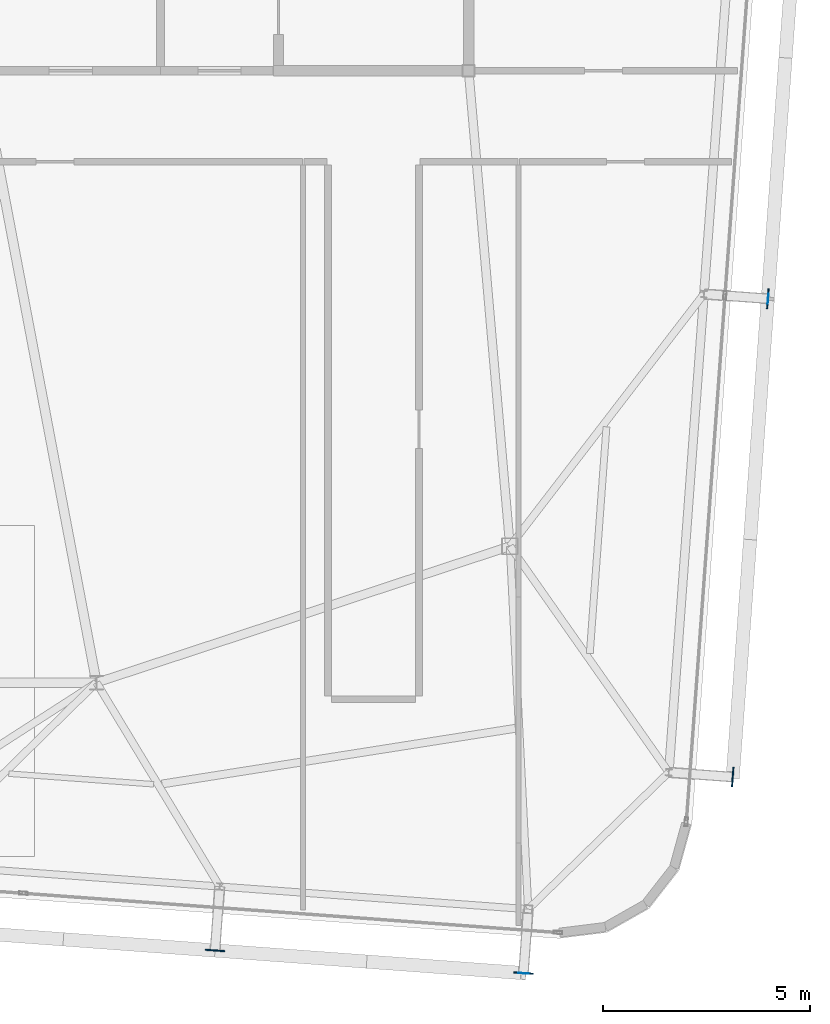
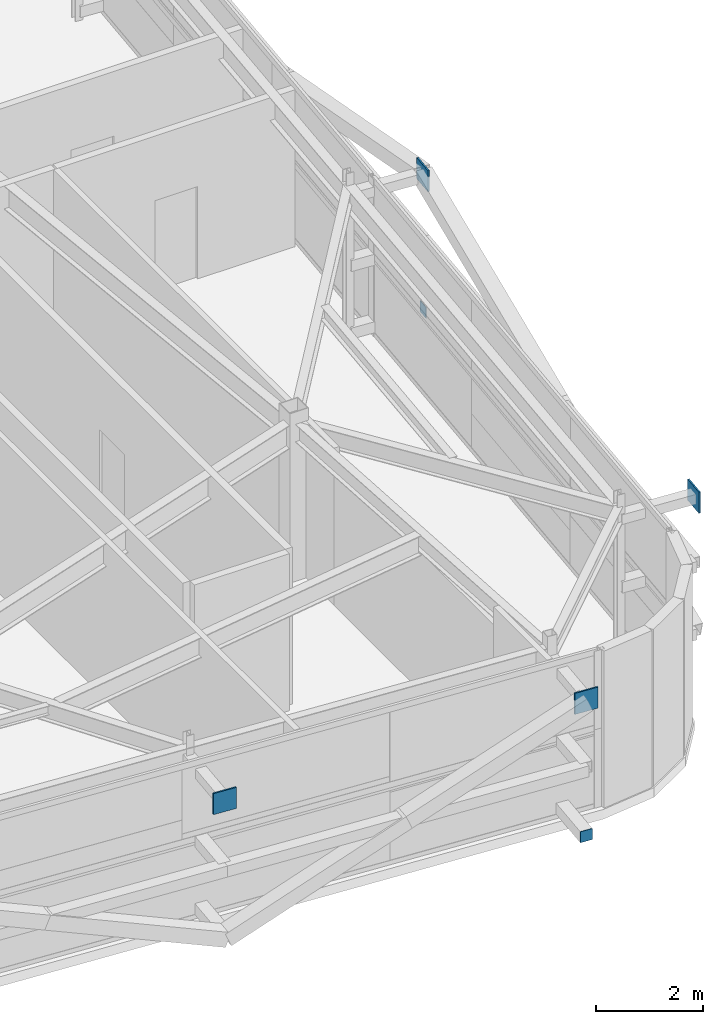
# One storey, part 27 of 35: 6 plates.
"""IFC4 building model written with IfcOpenShell, lengths in metres."""

from ifc_helpers import new_model, si_unit, direction, frame, origin, origin_2d, place, context, subcontext, project, spatial, rectangle, extrude, source, transform, mapped, material, layer, layer_set, type_object, element, save


model = new_model("IFC4")

# Units and contexts
model_context = context("Model", 3, precision=1e-05, world=origin(), true_north=direction((0.0, 1.0)))
body_context = subcontext(model_context, "Body", "Model", "MODEL_VIEW")
ifc_project = project(units=[si_unit("LENGTHUNIT", "METRE"), si_unit("AREAUNIT", "SQUARE_METRE"), si_unit("VOLUMEUNIT", "CUBIC_METRE"), si_unit("PLANEANGLEUNIT", "RADIAN"), si_unit("MASSUNIT", "GRAM", prefix="KILO")], contexts=[model_context])

# Site, building, storey
site_placement = place(None, origin())
site = spatial("IfcSite", under=ifc_project, at=site_placement, CompositionType="ELEMENT")
building_placement = place(site_placement, origin())
building = spatial("IfcBuilding", under=site, at=building_placement, Name="Taldren Reach Tower", CompositionType="ELEMENT")
storey_placement = place(building_placement, frame((0.0, 0.0, 249.199951171875)))
storey = spatial("IfcBuildingStorey", under=building, at=storey_placement, Name="L76", CompositionType="ELEMENT", Elevation=249.199951171875)

# Plates
ifc_material_1 = material(Name="Steel Gr 350 (C350L0)", Category="steel")
ifc_layer_1 = layer(ifc_material_1, 0.011962890625)
ifc_layer_set_1 = layer_set([ifc_layer_1], Name="Steel Gr 350 (C350L0)")
plate_type_1 = type_object("IfcPlateType", Name="PL-CAP-250", PredefinedType="SHEET", material=ifc_layer_set_1)
shared_shape_1 = source(origin(), body_context, "Body", "SweptSolid", [
    extrude(rectangle(XDim=0.25, YDim=0.011962890625, at=origin_2d()), origin(), (0.0, 0.0, 1.0), 0.25),
])
plate_1_placement = place(storey_placement, frame((52.326171875, 2.169189453125, 0.094970703125), z_axis=(0.0, 0.0, 1.0), x_axis=(0.997314477224, -0.073238197128, 0.0)))
element("IfcPlate", 1, at=plate_1_placement, inside=storey, type_object=plate_type_1, Name="Tie strut end cap plate B5-S6 L76", PredefinedType="SHEET", context=body_context, shape_type="MappedRepresentation", body=[
    mapped(shared_shape_1, transform((0.0, 0.0, 0.0), scale=1.0)),
])
shared_shape_2 = source(origin(), body_context, "Body", "SweptSolid", [
    extrude(rectangle(XDim=0.011962890625, YDim=0.25, at=origin_2d()), origin(), (0.0, 0.0, 1.0), 0.25),
])
plate_2_placement = place(storey_placement, frame((58.2431640625, 18.48583984375, 0.094970703125), z_axis=(0.0, 0.0, 1.0), x_axis=(0.997314477224, -0.073238197128, 0.0)))
element("IfcPlate", 2, at=plate_2_placement, inside=storey, type_object=plate_type_1, Name="Tie strut end cap plate B5-E2 L76", PredefinedType="SHEET", context=body_context, shape_type="MappedRepresentation", body=[
    mapped(shared_shape_2, transform((0.0, 0.0, 0.0), scale=1.0)),
])
ifc_material_2 = material(Name="Steel Gr 450 (C450L0)", Category="steel")
ifc_layer_2 = layer(ifc_material_2, 0.031982421875)
ifc_layer_set_2 = layer_set([ifc_layer_2], Name="Steel Gr 450 (C450L0)")
plate_type_2 = type_object("IfcPlateType", Name="PL-GUSSET-32", PredefinedType="SHEET", material=ifc_layer_set_2)
shared_shape_3 = source(origin(), body_context, "Body", "SweptSolid", [
    extrude(rectangle(XDim=0.47998046875, YDim=0.031982421875, at=origin_2d()), origin(), (0.0, 0.0, 1.0), 0.47998046875),
])
for number, where, z_axis, x_axis, name in (
    (3, (44.86669921875, 2.72314453125, 3.050048828125), (0.0, 0.0, 1.0), (0.997314477224, -0.073238197128, 0.0), "Exoskeleton star-node gusset plate B5-S5 L76"),
    (4, (52.32666015625, 2.17529296875, 3.050048828125), (0.0, 0.0, 1.0), (0.997314477224, -0.073238197128, 0.0), "Exoskeleton star-node gusset plate B5-S6 L76"),
    (5, (57.3876953125, 6.91748046875, 3.050048828125), (0.0, 0.0, 1.0), (0.073238197128, 0.997314477224, 0.0), "Exoskeleton star-node gusset plate B5-E1 L76"),
    (6, (58.237060546875, 18.486328125, 3.050048828125), (0.0, 0.0, 1.0), (0.073238197128, 0.997314477224, 0.0), "Exoskeleton star-node gusset plate B5-E2 L76"),
):
    element("IfcPlate", number, at=place(storey_placement, frame(where, z_axis=z_axis, x_axis=x_axis)), inside=storey, type_object=plate_type_2, Name=name, PredefinedType="SHEET", context=body_context, shape_type="MappedRepresentation", body=[
        mapped(shared_shape_3, transform((0.0, 0.0, 0.0), scale=1.0)),
    ])

save(model, "model.ifc")
